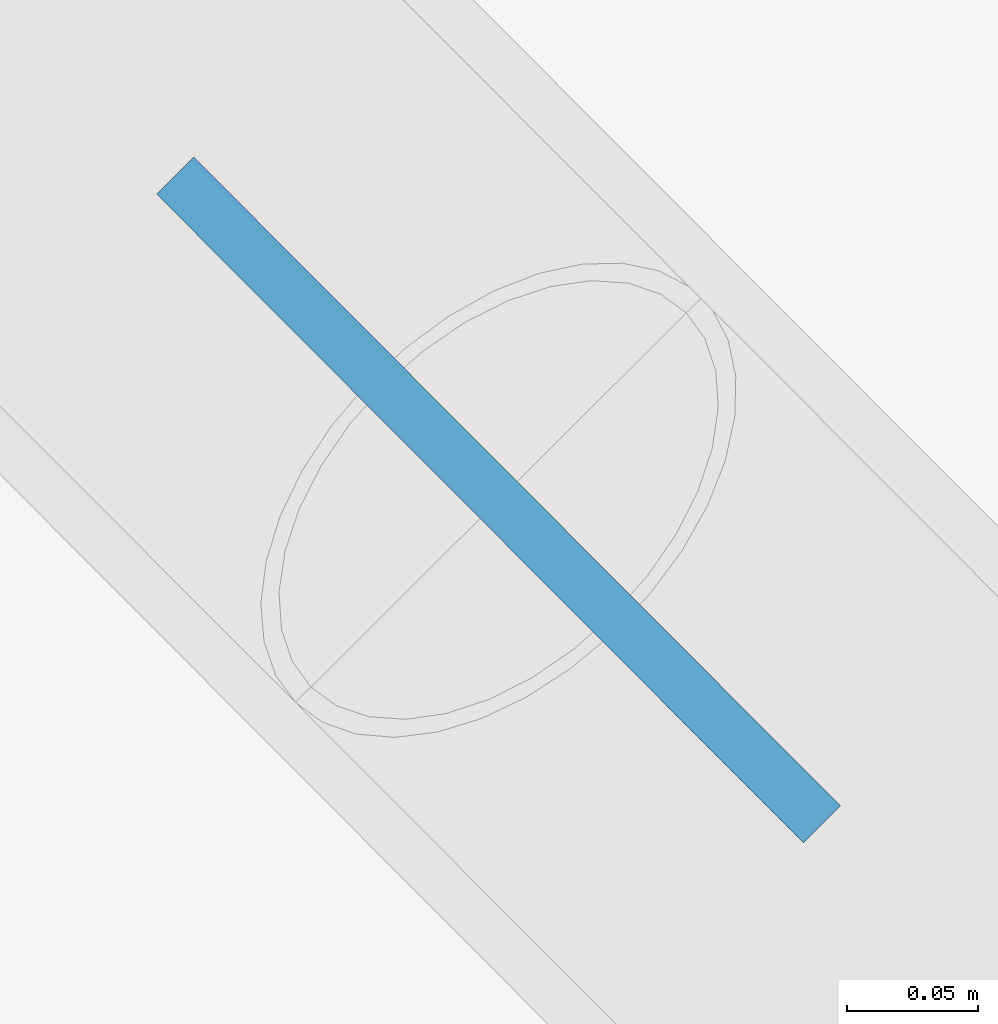
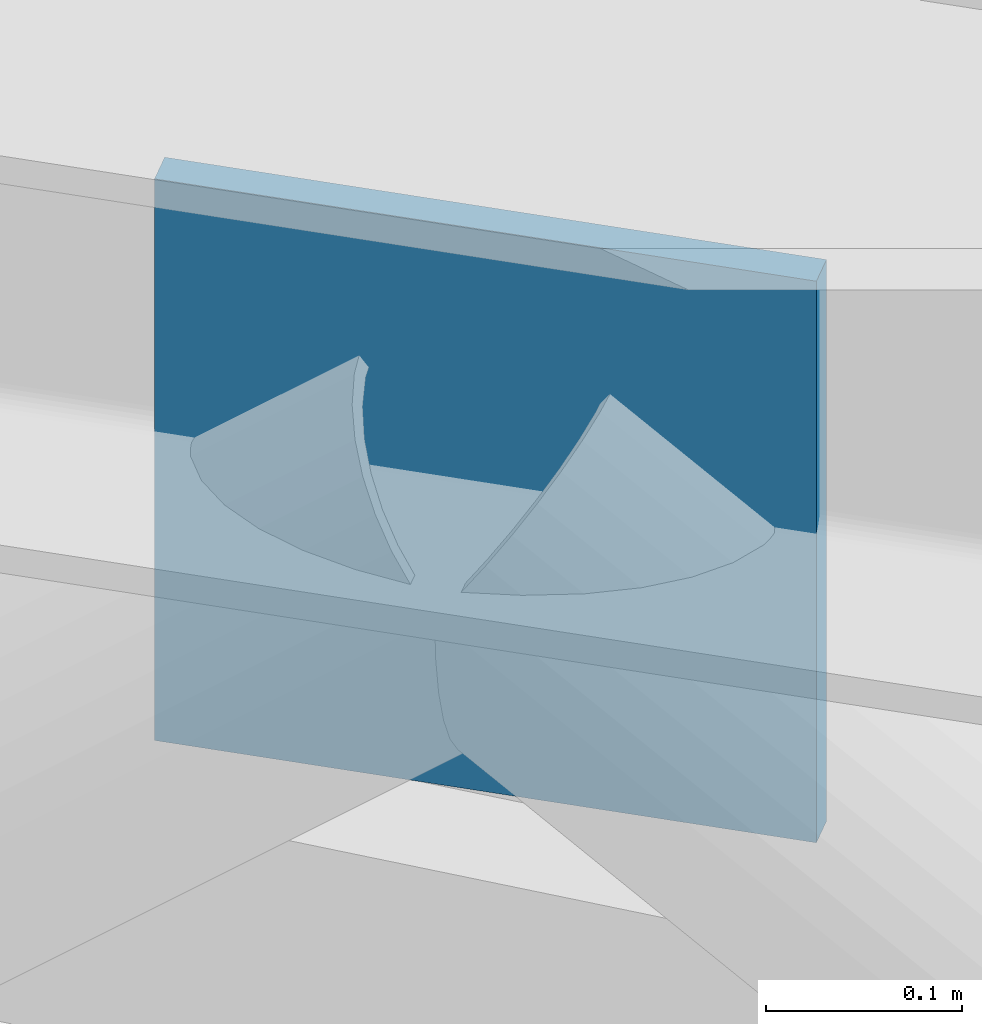
# One storey, part 39 of 42: 1 discrete accessory.
"""IFC4 building model written with IfcOpenShell, lengths in metres."""

import ifcopenshell
import ifcopenshell.guid

model = None  # the IFC model being written
_history = None  # IfcOwnerHistory: only IFC2X3 demands one
_inside = {}  # id of a spatial element -> (the spatial element, [elements in it])
_under = {}  # id of a project, library or spatial element -> (it, [spatial elements below it])
_declared = {}  # id of a project -> (the project, [libraries it declares])
_typed = {}  # id of a type object -> (the type object, [elements of that type])
_made_of = {}  # id of a material, layer set ... -> (it, [elements and type objects made of it])


def new_model(schema):
    """Start an empty IFC model of exactly this schema.

    Asked for "IFC4X3", IfcOpenShell would pick the latest addendum, in which some entities
    have other attributes; the version numbers below select the first issue.
    IFC2X3 requires an IfcOwnerHistory on every rooted entity: one is made here for all.
    """
    global model, _history
    if schema == "IFC4X3":
        model = ifcopenshell.file(schema_version=(4, 3, 0, 0))
    else:
        model = ifcopenshell.file(schema=schema)
    _inside.clear()
    _under.clear()
    _declared.clear()
    _typed.clear()
    _made_of.clear()
    _history = None
    if model.schema == "IFC2X3":
        org = make("IfcOrganization", Name="unknown")
        user = make(
            "IfcPersonAndOrganization",
            ThePerson=make("IfcPerson", FamilyName="unknown"),
            TheOrganization=org,
        )
        app = make(
            "IfcApplication",
            ApplicationDeveloper=org,
            Version="unknown",
            ApplicationFullName="unknown",
            ApplicationIdentifier="unknown",
        )
        _history = make(
            "IfcOwnerHistory",
            OwningUser=user,
            OwningApplication=app,
            ChangeAction="ADDED",
            CreationDate=0,
        )
    return model


def make(cls, **values):
    """One entity of the class cls with the attributes given. An attribute that is None is left unset."""
    return model.create_entity(
        cls, **{name: value for name, value in values.items() if value is not None}
    )


def rooted(cls, **values):
    """An entity with a GlobalId (a new one), such as an element, a storey or a relation."""
    return make(cls, GlobalId=ifcopenshell.guid.new(), OwnerHistory=_history, **values)


def si_unit(unit_type, name, prefix=None):
    """IfcSIUnit, for example si_unit("LENGTHUNIT", "METRE", prefix="MILLI")."""
    return make("IfcSIUnit", UnitType=unit_type, Prefix=prefix, Name=name)


def assignment(units):
    """IfcUnitAssignment: the units of a project."""
    return None if units is None else make("IfcUnitAssignment", Units=units)


def point(xyz):
    """IfcCartesianPoint."""
    return None if xyz is None else make("IfcCartesianPoint", Coordinates=xyz)


def direction(xyz):
    """IfcDirection."""
    return None if xyz is None else make("IfcDirection", DirectionRatios=xyz)


def frame(location, z_axis=None, x_axis=None):
    """IfcAxis2Placement3D, a coordinate frame: its origin and axes. An axis left out is left unset."""
    return make(
        "IfcAxis2Placement3D",
        Location=point(location),
        Axis=direction(z_axis),
        RefDirection=direction(x_axis),
    )


def frame_2d(location, x_axis=None):
    """IfcAxis2Placement2D, a coordinate frame in the plane: its origin and x axis."""
    return make(
        "IfcAxis2Placement2D", Location=point(location), RefDirection=direction(x_axis)
    )


def origin():
    """The frame at (0, 0, 0) with its axes left unset."""
    return frame((0.0, 0.0, 0.0))


def origin_2d():
    """The frame at (0, 0) in the plane with its x axis left unset."""
    return frame_2d((0.0, 0.0))


def place(relative_to, where):
    """IfcLocalPlacement: puts the frame where relative to a parent placement (None: the world)."""
    return make(
        "IfcLocalPlacement", PlacementRelTo=relative_to, RelativePlacement=where
    )


def context(
    kind, dimensions, precision=None, world=None, true_north=None, identifier=None
):
    """IfcGeometricRepresentationContext, for example the 3D "Model" context."""
    return make(
        "IfcGeometricRepresentationContext",
        ContextIdentifier=identifier,
        ContextType=kind,
        CoordinateSpaceDimension=dimensions,
        Precision=precision,
        WorldCoordinateSystem=world,
        TrueNorth=true_north,
    )


def subcontext(parent, identifier, kind, view, scale=None):
    """IfcGeometricRepresentationSubContext, for example "Body" below "Model"."""
    return make(
        "IfcGeometricRepresentationSubContext",
        ContextIdentifier=identifier,
        ContextType=kind,
        ParentContext=parent,
        TargetScale=scale,
        TargetView=view,
    )


def project(units=None, contexts=None):
    """IfcProject with its units and contexts."""
    return rooted(
        "IfcProject",
        Name="project",
        RepresentationContexts=contexts,
        UnitsInContext=assignment(units),
    )


def spatial(cls, under=None, at=None, **own):
    """A site, building, storey or space (cls), placed at a placement, below another one or the project."""
    s = rooted(cls, ObjectPlacement=at, **own)
    if under is not None:
        _under.setdefault(under.id(), (under, []))[1].append(s)
    return s


def profile(cls, at=None, kind="AREA", **sizes):
    """A parametric profile (cls). Its sizes go by their IFC names, for example OverallWidth=200.0."""
    return make(cls, ProfileType=kind, Position=at, **sizes)


def rectangle(**sizes):
    """IfcRectangleProfileDef."""
    return profile("IfcRectangleProfileDef", **sizes)


def extrude(swept, where, along, depth):
    """IfcExtrudedAreaSolid: the profile swept, set in the frame where, extruded along a direction by depth."""
    return make(
        "IfcExtrudedAreaSolid",
        SweptArea=swept,
        Position=where,
        ExtrudedDirection=direction(along),
        Depth=depth,
    )


def shape(context_of_items, identifier, shape_type, items):
    """IfcShapeRepresentation: the items that make up one representation, for example the "Body"."""
    return make(
        "IfcShapeRepresentation",
        ContextOfItems=context_of_items,
        RepresentationIdentifier=identifier,
        RepresentationType=shape_type,
        Items=items,
    )


def source(mapping_origin, context_of_items, identifier, shape_type, items):
    """IfcRepresentationMap: a shape defined once, which mapped items show again and again."""
    return make(
        "IfcRepresentationMap",
        MappingOrigin=mapping_origin,
        MappedRepresentation=shape(context_of_items, identifier, shape_type, items),
    )


def transform(
    local_origin,
    x_axis=None,
    y_axis=None,
    z_axis=None,
    scale=None,
    scale2=None,
    scale3=None,
    uniform=True,
):
    """IfcCartesianTransformationOperator3D, or its non-uniform kind. x_axis, y_axis, z_axis: its Axis1, 2, 3."""
    if uniform:
        return make(
            "IfcCartesianTransformationOperator3D",
            Axis1=direction(x_axis),
            Axis2=direction(y_axis),
            LocalOrigin=point(local_origin),
            Scale=scale,
            Axis3=direction(z_axis),
        )
    return make(
        "IfcCartesianTransformationOperator3DnonUniform",
        Axis1=direction(x_axis),
        Axis2=direction(y_axis),
        LocalOrigin=point(local_origin),
        Scale=scale,
        Axis3=direction(z_axis),
        Scale2=scale2,
        Scale3=scale3,
    )


def mapped(mapping_source, mapping_target):
    """IfcMappedItem: shows the shape of a source again, moved by a transform."""
    return make(
        "IfcMappedItem", MappingSource=mapping_source, MappingTarget=mapping_target
    )


def material(Name=None, Category=None):
    """IfcMaterial."""
    return make("IfcMaterial", Name=Name, Category=Category)


def layer(
    of_material, thickness, ventilated=None, Name=None, Category=None, Priority=None
):
    """IfcMaterialLayer: one layer of a wall or slab, of a material (None: an air gap)."""
    return make(
        "IfcMaterialLayer",
        Material=of_material,
        LayerThickness=thickness,
        IsVentilated=ventilated,
        Name=Name,
        Category=Category,
        Priority=Priority,
    )


def layer_set(layers, Name=None):
    """IfcMaterialLayerSet."""
    return make("IfcMaterialLayerSet", MaterialLayers=layers, LayerSetName=Name)


def made_of(thing, what):
    """Note that an element or type object is made of a material, layer set ...; save() writes the relation."""
    if what is not None:
        _made_of.setdefault(what.id(), (what, []))[1].append(thing)
    return thing


def type_object(cls, material=None, **own):
    """A type object (cls), such as IfcWallType, which elements share."""
    return made_of(rooted(cls, **own), material)


def element(
    cls,
    number,
    at=None,
    inside=None,
    cuts=None,
    type_object=None,
    material=None,
    context=None,
    identifier="Body",
    shape_type=None,
    held_by="IfcProductDefinitionShape",
    body=None,
    shapes=None,
    **own,
):
    """One element of the class cls, such as IfcWall. Its Tag is "e" and its number.

    at: its placement. inside: the storey or other place that contains it. cuts: it is an
    opening in that element (IfcRelVoidsElement). A single representation is given by context,
    identifier, shape_type and body (its items); several are given by shapes. held_by: the class
    of the entity that holds the representations. save() writes the other relations.
    """
    e = rooted(cls, Tag="e%d" % number, ObjectPlacement=at, **own)
    if body is not None:
        shapes = [shape(context, identifier, shape_type, body)]
    if shapes is not None:
        e.Representation = make(held_by, Representations=shapes)
    if inside is not None:
        _inside.setdefault(inside.id(), (inside, []))[1].append(e)
    if cuts is not None:
        rooted(
            "IfcRelVoidsElement", RelatingBuildingElement=cuts, RelatedOpeningElement=e
        )
    if type_object is not None:
        _typed.setdefault(type_object.id(), (type_object, []))[1].append(e)
    return made_of(e, material)


def aggregate(whole, parts):
    """IfcRelAggregates: a whole, such as a stair, and the parts it consists of."""
    return rooted("IfcRelAggregates", RelatingObject=whole, RelatedObjects=parts)


def save(model, path):
    """Write the relations noted so far, then the file.

    IfcRelAggregates (storeys below a building ...), IfcRelContainedInSpatialStructure (elements
    in a storey), IfcRelDefinesByType, IfcRelAssociatesMaterial and IfcRelDeclares: one each for
    every whole, place, type object, material and project.
    """
    for whole, parts in _under.values():
        aggregate(whole, parts)
    for where, things in _inside.values():
        rooted(
            "IfcRelContainedInSpatialStructure",
            RelatedElements=things,
            RelatingStructure=where,
        )
    for kind, things in _typed.values():
        rooted("IfcRelDefinesByType", RelatedObjects=things, RelatingType=kind)
    for what, things in _made_of.values():
        rooted("IfcRelAssociatesMaterial", RelatedObjects=things, RelatingMaterial=what)
    for by, libraries in _declared.values():
        rooted("IfcRelDeclares", RelatingContext=by, RelatedDefinitions=libraries)
    model.write(path)


model = new_model("IFC4")

# Units and contexts
model_context = context("Model", 3, precision=1e-05, world=origin(), true_north=direction((0.0, 1.0)))
body_context = subcontext(model_context, "Body", "Model", "MODEL_VIEW")
ifc_project = project(units=[si_unit("LENGTHUNIT", "METRE"), si_unit("AREAUNIT", "SQUARE_METRE"), si_unit("VOLUMEUNIT", "CUBIC_METRE"), si_unit("PLANEANGLEUNIT", "RADIAN"), si_unit("MASSUNIT", "GRAM", prefix="KILO")], contexts=[model_context])

# Site, building, storey
site_placement = place(None, origin())
site = spatial("IfcSite", under=ifc_project, at=site_placement, CompositionType="ELEMENT")
building_placement = place(site_placement, origin())
building = spatial("IfcBuilding", under=site, at=building_placement, Name="Spindrift Exchange Tower", CompositionType="ELEMENT")
storey_placement = place(building_placement, frame((0.0, 0.0, 75.39990234375)))
storey = spatial("IfcBuildingStorey", under=building, at=storey_placement, Name="L17", CompositionType="ELEMENT", Elevation=75.39990234375)

# Discrete accessory
ifc_material = material(Name="Steel Grade 350", Category="steel")
ifc_layer = layer(ifc_material, 0.02001953125)
ifc_layer_set = layer_set([ifc_layer], Name="Gusset plate 350x350x20 Steel Grade 350")
discrete_accessory_type = type_object("IfcDiscreteAccessoryType", Name="Gusset plate 350x350x20 Steel Grade 350", PredefinedType="USERDEFINED", material=ifc_layer_set)
shared_shape = source(origin(), body_context, "Body", "SweptSolid", [
    extrude(rectangle(XDim=0.35009765625, YDim=0.02001953125, at=origin_2d()), origin(), (0.0, 0.0, 1.0), 0.35009765625),
])
discrete_accessory_placement = place(storey_placement, frame((80.750244140625, 64.422607421875, 3.56494140625), z_axis=(0.0, 0.0, 1.0), x_axis=(-0.705964286099, 0.708247433284, 0.0)))
element("IfcDiscreteAccessory", 1, at=discrete_accessory_placement, inside=storey, type_object=discrete_accessory_type, Name="L17 gusset plate GP2 02", ObjectType="Gusset plate", PredefinedType="USERDEFINED", context=body_context, shape_type="MappedRepresentation", body=[
    mapped(shared_shape, transform((0.0, 0.0, 0.0), scale=1.0)),
])

save(model, "model.ifc")
